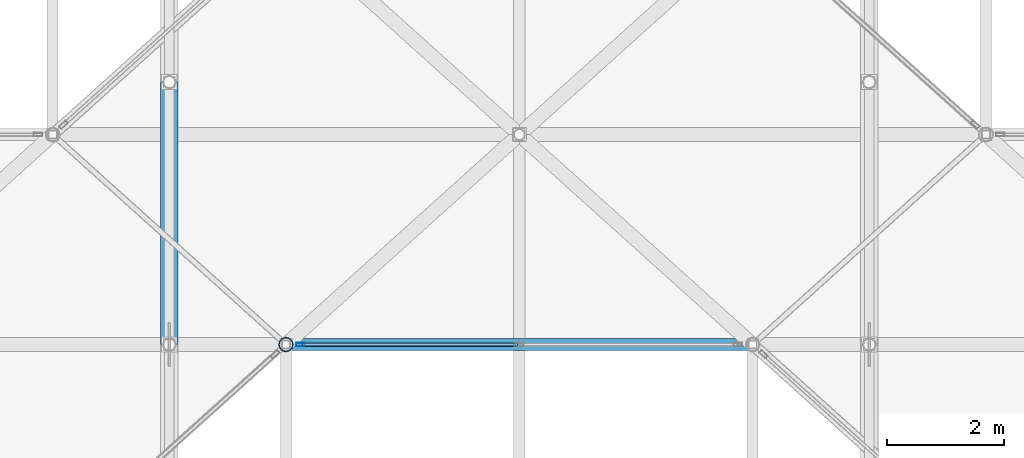
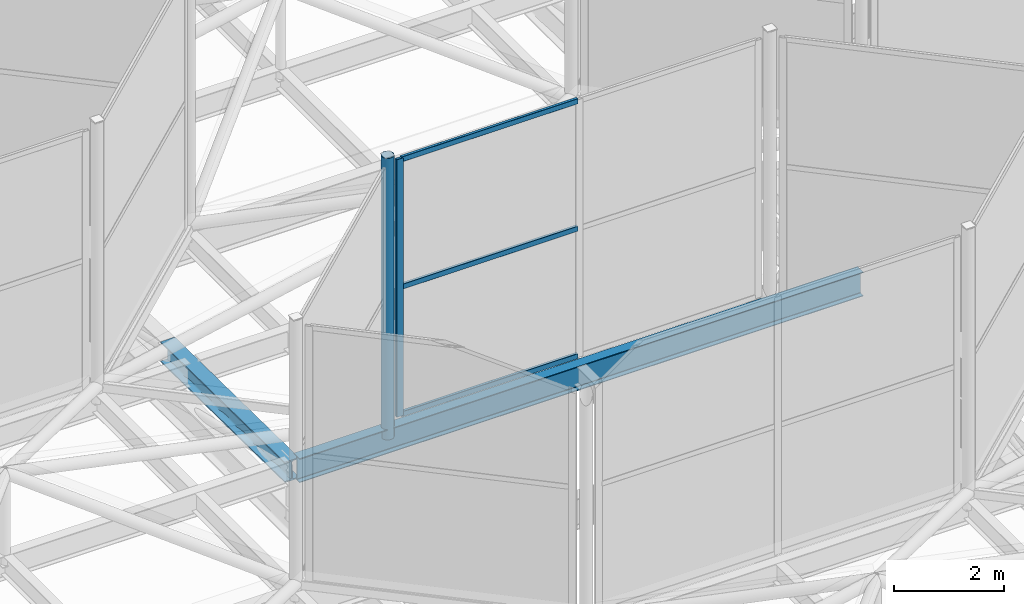
# One storey, part 94 of 239: 5 members, 2 beams, 1 element without a shape of its own.
"""IFC4 building model written with IfcOpenShell, lengths in metres."""

from ifc_helpers import new_model, si_unit, direction, frame, origin, origin_2d, place, context, subcontext, project, spatial, hollow_rectangle, hollow_circle, i_section, extrude, material, layer, layer_set, material_profile, profile_set, type_object, element, aggregate, save


model = new_model("IFC4")

# Units and contexts
model_context = context("Model", 3, precision=1e-05, world=origin(), true_north=direction((0.0, 1.0)))
body_context = subcontext(model_context, "Body", "Model", "MODEL_VIEW")
ifc_project = project(units=[si_unit("LENGTHUNIT", "METRE"), si_unit("AREAUNIT", "SQUARE_METRE"), si_unit("VOLUMEUNIT", "CUBIC_METRE"), si_unit("PLANEANGLEUNIT", "RADIAN"), si_unit("MASSUNIT", "GRAM", prefix="KILO")], contexts=[model_context])

# Site, building, storey
site_placement = place(None, origin())
site = spatial("IfcSite", under=ifc_project, at=site_placement, CompositionType="ELEMENT")
building_placement = place(site_placement, origin())
building = spatial("IfcBuilding", under=site, at=building_placement, Name="Dunvalen Ferry Terminal", CompositionType="ELEMENT")
storey_placement = place(building_placement, frame((0.0, 0.0, 9.840087890625)))
storey = spatial("IfcBuildingStorey", under=building, at=storey_placement, Name="L02", CompositionType="ELEMENT", Elevation=9.840087890625)

# Curtain wall, members
ifc_material_1 = material(Name="Anodised marine aluminium and solar-control glazing", Category="aluminium")
ifc_layer = layer(ifc_material_1, 0.179931640625, Name="Anodised marine aluminium and solar-control glazing")
ifc_layer_set = layer_set([ifc_layer], Name="Anodised marine aluminium and solar-control glazing")
curtain_wall_type = type_object("IfcCurtainWallType", Name="ENV-CW-SYS-05", PredefinedType="NOTDEFINED", material=ifc_layer_set)
curtain_wall_placement = place(storey_placement, origin())
curtain_wall = element("IfcCurtainWall", 1, at=curtain_wall_placement, inside=storey, type_object=curtain_wall_type, Name="L02 Curtain Wall CW-HEX-25-SK-5", PredefinedType="NOTDEFINED")
ifc_material_2 = material(Name="Anodised marine aluminium EN AW-6063 T6", Category="aluminium")
ifc_material_profile_1 = material_profile(ifc_material_2, hollow_rectangle(XDim=0.06005859375, YDim=0.14990234375, WallThickness=0.00341796875, InnerFilletRadius=0.00341796875, OuterFilletRadius=0.007080078125, at=origin_2d()), Name="Anodised marine aluminium EN AW-6063 T6")
ifc_profile_set_1 = profile_set([ifc_material_profile_1], Name="Anodised marine aluminium EN AW-6063 T6")
member_type_1 = type_object("IfcMemberType", Name="ENV-CW-MUL-3", PredefinedType="MULLION", material=ifc_profile_set_1)
member_1_placement = place(storey_placement, frame((50.25, 68.39990234375, 1.139892578125), z_axis=(0.0, 0.0, 1.0), x_axis=(0.0, -1.0, 0.0)))
member_1 = element("IfcMember", 2, at=member_1_placement, type_object=member_type_1, Name="CW-05 mullion 3", PredefinedType="MULLION", context=body_context, shape_type="SweptSolid", body=[
    extrude(hollow_rectangle(XDim=0.06005859375, YDim=0.14990234375, WallThickness=0.00341796875, InnerFilletRadius=0.00341796875, OuterFilletRadius=0.007080078125, at=origin_2d()), origin(), (0.0, 0.0, 1.0), 5.699951171875),
])
ifc_material_profile_2 = material_profile(ifc_material_2, hollow_rectangle(XDim=0.06005859375, YDim=0.114990234375, WallThickness=0.0029296875, InnerFilletRadius=0.0029296875, OuterFilletRadius=0.006103515625, at=origin_2d()), Name="Anodised marine aluminium EN AW-6063 T6")
ifc_profile_set_2 = profile_set([ifc_material_profile_2], Name="Anodised marine aluminium EN AW-6063 T6")
member_type_2 = type_object("IfcMemberType", Name="ENV-CW-TRN-3", PredefinedType="USERDEFINED", material=ifc_profile_set_2)
member_2_placement = place(storey_placement, frame((53.969970703125, 68.39990234375, 1.169921875), z_axis=(-1.0, 0.0, 0.0), x_axis=(0.0, -1.0, 0.0)))
member_2 = element("IfcMember", 3, at=member_2_placement, type_object=member_type_2, Name="CW-05 transom 2.1", ObjectType="TRANSOM", PredefinedType="USERDEFINED", context=body_context, shape_type="SweptSolid", body=[
    extrude(hollow_rectangle(XDim=0.06005859375, YDim=0.114990234375, WallThickness=0.0029296875, InnerFilletRadius=0.0029296875, OuterFilletRadius=0.006103515625, at=origin_2d()), origin(), (0.0, 0.0, 1.0), 3.68994140625),
])
member_3_placement = place(storey_placement, frame((53.969970703125, 68.39990234375, 3.989990234375), z_axis=(-1.0, 0.0, 0.0), x_axis=(0.0, -1.0, 0.0)))
member_3 = element("IfcMember", 4, at=member_3_placement, type_object=member_type_2, Name="CW-05 transom 2.2", ObjectType="TRANSOM", PredefinedType="USERDEFINED", context=body_context, shape_type="SweptSolid", body=[
    extrude(hollow_rectangle(XDim=0.06005859375, YDim=0.114990234375, WallThickness=0.0029296875, InnerFilletRadius=0.0029296875, OuterFilletRadius=0.006103515625, at=origin_2d()), origin(), (0.0, 0.0, 1.0), 3.68994140625),
])
member_4_placement = place(storey_placement, frame((53.969970703125, 68.39990234375, 6.809814453125), z_axis=(-1.0, 0.0, 0.0), x_axis=(0.0, -1.0, 0.0)))
member_4 = element("IfcMember", 5, at=member_4_placement, type_object=member_type_2, Name="CW-05 transom 2.3", ObjectType="TRANSOM", PredefinedType="USERDEFINED", context=body_context, shape_type="SweptSolid", body=[
    extrude(hollow_rectangle(XDim=0.06005859375, YDim=0.114990234375, WallThickness=0.0029296875, InnerFilletRadius=0.0029296875, OuterFilletRadius=0.006103515625, at=origin_2d()), origin(), (0.0, 0.0, 1.0), 3.68994140625),
])
aggregate(curtain_wall, [member_1, member_2, member_3, member_4])

# Beams
ifc_material_3 = material(Name="Steel S355", Category="steel")
ifc_material_profile_3 = material_profile(ifc_material_3, i_section(OverallWidth=0.300048828125, OverallDepth=0.449951171875, WebThickness=0.013916015625, FlangeThickness=0.02587890625, FilletRadius=0.027099609375, at=origin_2d()), Name="Steel S355")
ifc_profile_set_3 = profile_set([ifc_material_profile_3], Name="Steel S355")
beam_type_1 = type_object("IfcBeamType", Name="STR-BM-HEB450", PredefinedType="BEAM", material=ifc_profile_set_3)
beam_1_placement = place(storey_placement, frame((48.0, 68.39990234375, 0.719970703125), z_axis=(0.0, 0.999907293085, -0.01361635908), x_axis=(-1.0, 0.0, 0.0)))
element("IfcBeam", 6, at=beam_1_placement, inside=storey, type_object=beam_type_1, Name="Departure Hall Tied-Arch Rib 04.5", PredefinedType="BEAM", context=body_context, shape_type="SweptSolid", body=[
    extrude(i_section(OverallWidth=0.300048828125, OverallDepth=0.449951171875, WebThickness=0.013916015625, FlangeThickness=0.02587890625, FilletRadius=0.027099609375, at=origin_2d()), origin(), (0.0, 0.0, 1.0), 4.50048828125),
])
ifc_material_profile_4 = material_profile(ifc_material_3, i_section(OverallWidth=0.209228515625, OverallDepth=0.533203125, WebThickness=0.010009765625, FlangeThickness=0.015625, FilletRadius=0.0126953125, at=origin_2d()), Name="Steel S355")
ifc_profile_set_4 = profile_set([ifc_material_profile_4], Name="Steel S355")
beam_type_2 = type_object("IfcBeamType", Name="STR-BM-UKB533", PredefinedType="BEAM", material=ifc_profile_set_4)
beam_2_placement = place(storey_placement, frame((48.10009765625, 68.39990234375, 0.7333984375), z_axis=(1.0, 0.0, 0.0), x_axis=(0.0, 1.0, 0.0)))
element("IfcBeam", 7, at=beam_2_placement, inside=storey, type_object=beam_type_2, Name="Departure Hall Spine Girder B4.06", PredefinedType="BEAM", context=body_context, shape_type="SweptSolid", body=[
    extrude(i_section(OverallWidth=0.209228515625, OverallDepth=0.533203125, WebThickness=0.010009765625, FlangeThickness=0.015625, FilletRadius=0.0126953125, at=origin_2d()), origin(), (0.0, 0.0, 1.0), 11.7998046875),
])

# Member
ifc_material_profile_5 = material_profile(ifc_material_3, hollow_circle(Radius=0.122314453125, WallThickness=0.010009765625, at=origin_2d()), Name="Steel S355")
ifc_profile_set_5 = profile_set([ifc_material_profile_5], Name="Steel S355")
member_type_3 = type_object("IfcMemberType", Name="STR-MB-CHS244", PredefinedType="STRUT", material=ifc_profile_set_5)
member_5_placement = place(storey_placement, frame((50.0, 68.39990234375, 0.77001953125), z_axis=(0.0, 0.0, 1.0), x_axis=(1.0, 0.0, 0.0)))
element("IfcMember", 8, at=member_5_placement, inside=storey, type_object=member_type_3, Name="HEX-25 Skylight Lantern Corner Strut 6", PredefinedType="STRUT", context=body_context, shape_type="SweptSolid", body=[
    extrude(hollow_circle(Radius=0.122314453125, WallThickness=0.010009765625, at=origin_2d()), origin(), (0.0, 0.0, 1.0), 6.22998046875),
])

save(model, "model.ifc")
